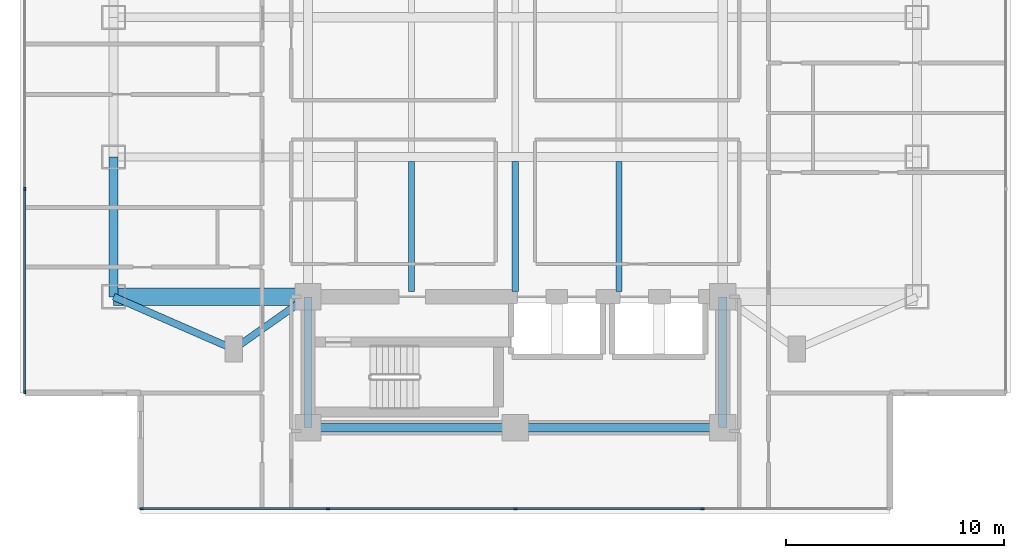
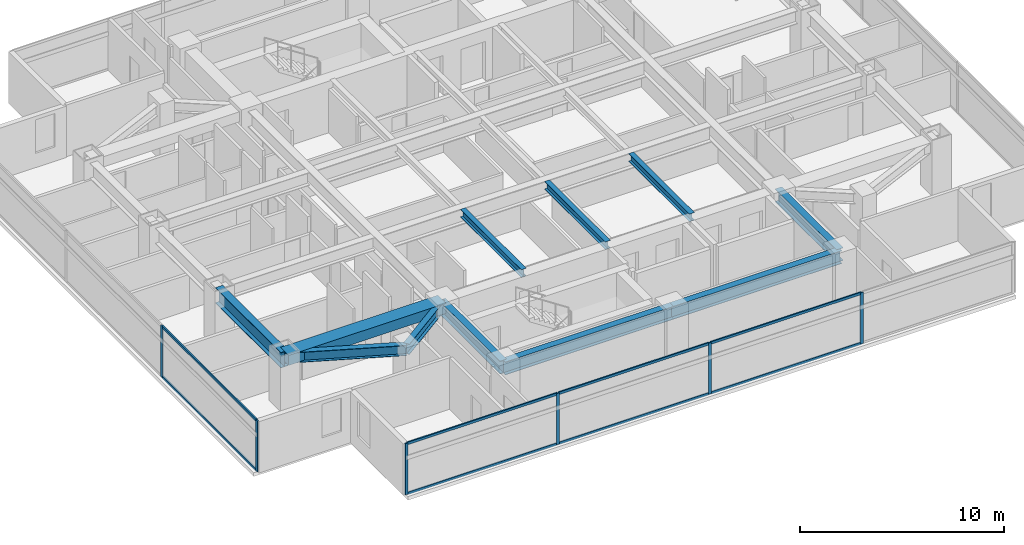
# One storey, part 2 of 26: 14 members, 11 beams, 2 elements without a shape of their own.
"""IFC4 building model written with IfcOpenShell, lengths in metres."""

from ifc_helpers import new_model, si_unit, direction, frame, origin, origin_2d, place, context, subcontext, project, spatial, rectangle, i_section, extrude, material, material_profile, profile_set, type_object, element, aggregate, save


model = new_model("IFC4")

# Units and contexts
model_context = context("Model", 3, precision=1e-05, world=origin(), true_north=direction((0.0, 1.0)))
body_context = subcontext(model_context, "Body", "Model", "MODEL_VIEW")
ifc_project = project(units=[si_unit("LENGTHUNIT", "METRE"), si_unit("AREAUNIT", "SQUARE_METRE"), si_unit("VOLUMEUNIT", "CUBIC_METRE"), si_unit("PLANEANGLEUNIT", "RADIAN"), si_unit("MASSUNIT", "GRAM", prefix="KILO")], contexts=[model_context])

# Site, building, storey
site_placement = place(None, origin())
site = spatial("IfcSite", under=ifc_project, at=site_placement, CompositionType="ELEMENT")
building_placement = place(site_placement, origin())
building = spatial("IfcBuilding", under=site, at=building_placement, Name="Mirazonda Arch Towers", CompositionType="ELEMENT")
storey_placement = place(building_placement, frame((0.0, 0.0, 114.800048828125)))
storey = spatial("IfcBuildingStorey", under=building, at=storey_placement, Name="L32", CompositionType="ELEMENT", Elevation=114.800048828125)

# Beams
ifc_material_1 = material(Name="Steel ASTM A992 Grade 50", Category="steel")
ifc_material_profile_1 = material_profile(ifc_material_1, i_section(OverallWidth=0.41796875, OverallDepth=0.927001953125, WebThickness=0.019287109375, FlangeThickness=0.031982421875, at=origin_2d()), Name="W36X231")
ifc_profile_set_1 = profile_set([ifc_material_profile_1], Name="Steel ASTM A992 Grade 50")
beam_type_1 = type_object("IfcBeamType", Name="BM-EXT-W36X231", PredefinedType="USERDEFINED", material=ifc_profile_set_1)
beam_1_placement = place(storey_placement, frame((2.10009765625, 18.39990234375, 2.616455078125), z_axis=(0.0, 1.0, 0.0), x_axis=(-1.0, 0.0, 0.0)))
element("IfcBeam", 1, at=beam_1_placement, inside=storey, type_object=beam_type_1, Name="L32 Floor Beam BM-T1-L32-NS-W-18", ObjectType="GIRDER", PredefinedType="USERDEFINED", context=body_context, shape_type="SweptSolid", body=[
    extrude(i_section(OverallWidth=0.41796875, OverallDepth=0.927001953125, WebThickness=0.019287109375, FlangeThickness=0.031982421875, at=origin_2d()), origin(), (0.0, 0.0, 1.0), 6.400146484375),
])
ifc_material_profile_2 = material_profile(ifc_material_1, i_section(OverallWidth=0.280029296875, OverallDepth=0.462890625, WebThickness=0.0107421875, FlangeThickness=0.017333984375, at=origin_2d()), Name="W18X76")
ifc_profile_set_2 = profile_set([ifc_material_profile_2], Name="Steel ASTM A992 Grade 50")
beam_type_2 = type_object("IfcBeamType", Name="BM-INT-W18X76", PredefinedType="JOIST", material=ifc_profile_set_2)
for number, where, z_axis, x_axis, name in (
    (2, (15.75, 18.639892578125, 2.848388671875), (0.0, 1.0, 0.0), (-1.0, 0.0, 0.0), "L32 Floor Beam BM-T1-L32-J-157-18"),
    (3, (20.5, 18.639892578125, 2.848388671875), (0.0, 1.0, 0.0), (-1.0, 0.0, 0.0), "L32 Floor Beam BM-T1-L32-J-205-18"),
    (4, (25.25, 18.639892578125, 2.848388671875), (0.0, 1.0, 0.0), (-1.0, 0.0, 0.0), "L32 Floor Beam BM-T1-L32-J-252-18"),
):
    element("IfcBeam", number, at=place(storey_placement, frame(where, z_axis=z_axis, x_axis=x_axis)), inside=storey, type_object=beam_type_2, Name=name, PredefinedType="JOIST", context=body_context, shape_type="SweptSolid", body=[
        extrude(i_section(OverallWidth=0.280029296875, OverallDepth=0.462890625, WebThickness=0.0107421875, FlangeThickness=0.017333984375, at=origin_2d()), origin(), (0.0, 0.0, 1.0), 5.95263671875),
    ])
ifc_material_profile_3 = material_profile(ifc_material_1, i_section(OverallWidth=0.324951171875, OverallDepth=0.615966796875, WebThickness=0.013916015625, FlangeThickness=0.021484375, at=origin_2d()), Name="W24X117")
ifc_profile_set_3 = profile_set([ifc_material_profile_3], Name="Steel ASTM A992 Grade 50")
beam_type_3 = type_object("IfcBeamType", Name="BM-INT-W24X117", PredefinedType="BEAM", material=ifc_profile_set_3)
beam_2_placement = place(storey_placement, frame((7.60009765625, 16.0, 2.77197265625), z_axis=(0.816971114901, 0.576678591087, 0.0), x_axis=(-0.576678591087, 0.816971114901, 0.0)))
element("IfcBeam", 5, at=beam_2_placement, inside=storey, type_object=beam_type_3, Name="L32 Floor Beam BM-T1-L32-PL-SW1", PredefinedType="BEAM", context=body_context, shape_type="SweptSolid", body=[
    extrude(i_section(OverallWidth=0.324951171875, OverallDepth=0.615966796875, WebThickness=0.013916015625, FlangeThickness=0.021484375, at=origin_2d()), origin(), (0.0, 0.0, 1.0), 4.16162109375),
])
beam_3_placement = place(storey_placement, frame((7.60009765625, 16.0, 2.77197265625), z_axis=(-0.916545343703, 0.399930785183, 0.0), x_axis=(-0.399930785183, -0.916545343703, 0.0)))
element("IfcBeam", 6, at=beam_3_placement, inside=storey, type_object=beam_type_3, Name="L32 Floor Beam BM-T1-L32-PL-SW2", PredefinedType="BEAM", context=body_context, shape_type="SweptSolid", body=[
    extrude(i_section(OverallWidth=0.324951171875, OverallDepth=0.615966796875, WebThickness=0.013916015625, FlangeThickness=0.021484375, at=origin_2d()), origin(), (0.0, 0.0, 1.0), 6.000732421875),
])
ifc_material_profile_4 = material_profile(ifc_material_1, i_section(OverallWidth=0.381103515625, OverallDepth=0.77294921875, WebThickness=0.0166015625, FlangeThickness=0.027099609375, at=origin_2d()), Name="W30X173")
ifc_profile_set_4 = profile_set([ifc_material_profile_4], Name="Steel ASTM A992 Grade 50")
beam_type_4 = type_object("IfcBeamType", Name="BM-INT-W30X173", PredefinedType="USERDEFINED", material=ifc_profile_set_4)
for number, where, z_axis, x_axis, name in (
    (7, (11.0, 12.39990234375, 2.693359375), (1.0, 0.0, 0.0), (0.0, 1.0, 0.0), "L32 Floor Beam BM-T1-L32-CS1"),
    (8, (20.5, 12.39990234375, 2.693359375), (1.0, 0.0, 0.0), (0.0, 1.0, 0.0), "L32 Floor Beam BM-T1-L32-CS2"),
):
    element("IfcBeam", number, at=place(storey_placement, frame(where, z_axis=z_axis, x_axis=x_axis)), inside=storey, type_object=beam_type_4, Name=name, ObjectType="GIRDER", PredefinedType="USERDEFINED", context=body_context, shape_type="SweptSolid", body=[
        extrude(i_section(OverallWidth=0.381103515625, OverallDepth=0.77294921875, WebThickness=0.0166015625, FlangeThickness=0.027099609375, at=origin_2d()), origin(), (0.0, 0.0, 1.0), 9.5),
    ])
for number, where, z_axis, x_axis, name in (
    (9, (11.0, 12.39990234375, 2.693359375), (0.0, 1.0, 0.0), (-1.0, 0.0, 0.0), "L32 Floor Beam BM-T1-L32-CSW"),
    (10, (30.0, 12.39990234375, 2.693359375), (0.0, 1.0, 0.0), (-1.0, 0.0, 0.0), "L32 Floor Beam BM-T1-L32-CSE"),
):
    element("IfcBeam", number, at=place(storey_placement, frame(where, z_axis=z_axis, x_axis=x_axis)), inside=storey, type_object=beam_type_4, Name=name, ObjectType="GIRDER", PredefinedType="USERDEFINED", context=body_context, shape_type="SweptSolid", body=[
        extrude(i_section(OverallWidth=0.381103515625, OverallDepth=0.77294921875, WebThickness=0.0166015625, FlangeThickness=0.027099609375, at=origin_2d()), origin(), (0.0, 0.0, 1.0), 6.0),
    ])
ifc_material_2 = material(Name="Concrete C60/75", Category="concrete")
ifc_material_profile_5 = material_profile(ifc_material_2, rectangle(XDim=0.800048828125, YDim=0.60009765625, at=origin_2d()), Name="RCCB800x600")
ifc_profile_set_5 = profile_set([ifc_material_profile_5], Name="Concrete C60/75")
beam_type_5 = type_object("IfcBeamType", Name="CB-INT-RCCB800x600", PredefinedType="SPANDREL", material=ifc_profile_set_5)
beam_4_placement = place(storey_placement, frame((2.10009765625, 18.39990234375, 2.780029296875), z_axis=(1.0, 0.0, 0.0), x_axis=(0.0, 1.0, 0.0)))
element("IfcBeam", 11, at=beam_4_placement, inside=storey, type_object=beam_type_5, Name="L32 Floor Beam CBC-T1-L32-SW", PredefinedType="SPANDREL", context=body_context, shape_type="SweptSolid", body=[
    extrude(rectangle(XDim=0.800048828125, YDim=0.60009765625, at=origin_2d()), origin(), (0.0, 0.0, 1.0), 8.89990234375),
])

# Curtain wall, members
ifc_material_3 = material(Name="Anodised Aluminium and Low-E Glass", Category="aluminium")
curtain_wall_type = type_object("IfcCurtainWallType", Name="CW-HTL-UNIT", PredefinedType="NOTDEFINED", material=ifc_material_3)
curtain_wall_1_placement = place(storey_placement, origin())
curtain_wall_1 = element("IfcCurtainWall", 12, at=curtain_wall_1_placement, inside=storey, type_object=curtain_wall_type, Name="L32 T1 S Facade CW-L32-T1-S", PredefinedType="NOTDEFINED")
ifc_material_4 = material(Name="Anodised Aluminium Alloy", Category="aluminium")
ifc_material_profile_6 = material_profile(ifc_material_4, rectangle(XDim=0.074951171875, YDim=0.1650390625, at=origin_2d()), Name="ALU-MULL-75x165")
ifc_profile_set_6 = profile_set([ifc_material_profile_6], Name="Anodised Aluminium Alloy")
member_type_1 = type_object("IfcMemberType", Name="MULL-CW-HTL-UNIT", PredefinedType="MULLION", material=ifc_profile_set_6)
member_1_placement = place(storey_placement, frame((29.08251953125, 8.68603515625, 0.0), z_axis=(0.0, 0.0, 1.0), x_axis=(0.0, -1.0, 0.0)))
member_1 = element("IfcMember", 13, at=member_1_placement, type_object=member_type_1, Name="CW-112 mullion 2", PredefinedType="MULLION", context=body_context, shape_type="SweptSolid", body=[
    extrude(rectangle(XDim=0.074951171875, YDim=0.1650390625, at=origin_2d()), origin(), (0.0, 0.0, 1.0), 3.06005859375),
])
member_2_placement = place(storey_placement, frame((20.5, 8.68603515625, 0.0), z_axis=(0.0, 0.0, 1.0), x_axis=(0.0, -1.0, 0.0)))
member_2 = element("IfcMember", 14, at=member_2_placement, type_object=member_type_1, Name="CW-112 mullion 3", PredefinedType="MULLION", context=body_context, shape_type="SweptSolid", body=[
    extrude(rectangle(XDim=0.074951171875, YDim=0.1650390625, at=origin_2d()), origin(), (0.0, 0.0, 1.0), 3.06005859375),
])
member_3_placement = place(storey_placement, frame((11.91748046875, 8.68603515625, 0.0), z_axis=(0.0, 0.0, 1.0), x_axis=(0.0, -1.0, 0.0)))
member_3 = element("IfcMember", 15, at=member_3_placement, type_object=member_type_1, Name="CW-112 mullion 4", PredefinedType="MULLION", context=body_context, shape_type="SweptSolid", body=[
    extrude(rectangle(XDim=0.074951171875, YDim=0.1650390625, at=origin_2d()), origin(), (0.0, 0.0, 1.0), 3.06005859375),
])
member_4_placement = place(storey_placement, frame((3.37255859375, 8.68603515625, 0.0), z_axis=(0.0, 0.0, 1.0), x_axis=(0.0, -1.0, 0.0)))
member_4 = element("IfcMember", 16, at=member_4_placement, type_object=member_type_1, Name="CW-112 mullion 5", PredefinedType="MULLION", context=body_context, shape_type="SweptSolid", body=[
    extrude(rectangle(XDim=0.074951171875, YDim=0.1650390625, at=origin_2d()), origin(), (0.0, 0.0, 1.0), 3.06005859375),
])

curtain_wall_2_placement = place(storey_placement, origin())
curtain_wall_2 = element("IfcCurtainWall", 17, at=curtain_wall_2_placement, inside=storey, type_object=curtain_wall_type, Name="L32 T1 W Facade CW-L32-T1-W", PredefinedType="NOTDEFINED")
member_5_placement = place(storey_placement, frame((-1.969970703125, 23.330322265625, 0.0), z_axis=(0.0, 0.0, 1.0), x_axis=(1.0, 0.0, 0.0)))
member_5 = element("IfcMember", 18, at=member_5_placement, type_object=member_type_1, Name="CW-112 mullion 3", PredefinedType="MULLION", context=body_context, shape_type="SweptSolid", body=[
    extrude(rectangle(XDim=0.074951171875, YDim=0.1650390625, at=origin_2d()), origin(), (0.0, 0.0, 1.0), 3.06005859375),
])
member_6_placement = place(storey_placement, frame((-1.969970703125, 14.028564453125, 0.0), z_axis=(0.0, 0.0, 1.0), x_axis=(1.0, 0.0, 0.0)))
member_6 = element("IfcMember", 19, at=member_6_placement, type_object=member_type_1, Name="CW-112 mullion 4", PredefinedType="MULLION", context=body_context, shape_type="SweptSolid", body=[
    extrude(rectangle(XDim=0.074951171875, YDim=0.1650390625, at=origin_2d()), origin(), (0.0, 0.0, 1.0), 3.06005859375),
])

# Member
ifc_material_profile_7 = material_profile(ifc_material_4, rectangle(XDim=0.074951171875, YDim=0.14501953125, at=origin_2d()), Name="ALU-TRAN-75x145")
ifc_profile_set_7 = profile_set([ifc_material_profile_7], Name="Anodised Aluminium Alloy")
member_type_2 = type_object("IfcMemberType", Name="TRAN-CW-HTL-UNIT", PredefinedType="USERDEFINED", material=ifc_profile_set_7)
member_7_placement = place(storey_placement, frame((29.044921875, 8.68603515625, 0.037353515625), z_axis=(-1.0, 0.0, 0.0), x_axis=(0.0, -1.0, 0.0)))
member_7 = element("IfcMember", 20, at=member_7_placement, type_object=member_type_2, Name="CW-112 transom 2.1", ObjectType="TRANSOM", PredefinedType="USERDEFINED", context=body_context, shape_type="SweptSolid", body=[
    extrude(rectangle(XDim=0.074951171875, YDim=0.14501953125, at=origin_2d()), origin(), (0.0, 0.0, 1.0), 8.50732421875),
])

member_8_placement = place(storey_placement, frame((29.044921875, 8.68603515625, 3.0224609375), z_axis=(-1.0, 0.0, 0.0), x_axis=(0.0, -1.0, 0.0)))
member_8 = element("IfcMember", 21, at=member_8_placement, type_object=member_type_2, Name="CW-112 transom 2.2", ObjectType="TRANSOM", PredefinedType="USERDEFINED", context=body_context, shape_type="SweptSolid", body=[
    extrude(rectangle(XDim=0.074951171875, YDim=0.14501953125, at=origin_2d()), origin(), (0.0, 0.0, 1.0), 8.50732421875),
])

member_9_placement = place(storey_placement, frame((20.46240234375, 8.68603515625, 0.037353515625), z_axis=(-1.0, 0.0, 0.0), x_axis=(0.0, -1.0, 0.0)))
member_9 = element("IfcMember", 22, at=member_9_placement, type_object=member_type_2, Name="CW-112 transom 3.1", ObjectType="TRANSOM", PredefinedType="USERDEFINED", context=body_context, shape_type="SweptSolid", body=[
    extrude(rectangle(XDim=0.074951171875, YDim=0.14501953125, at=origin_2d()), origin(), (0.0, 0.0, 1.0), 8.50732421875),
])

member_10_placement = place(storey_placement, frame((20.46240234375, 8.68603515625, 3.0224609375), z_axis=(-1.0, 0.0, 0.0), x_axis=(0.0, -1.0, 0.0)))
member_10 = element("IfcMember", 23, at=member_10_placement, type_object=member_type_2, Name="CW-112 transom 3.2", ObjectType="TRANSOM", PredefinedType="USERDEFINED", context=body_context, shape_type="SweptSolid", body=[
    extrude(rectangle(XDim=0.074951171875, YDim=0.14501953125, at=origin_2d()), origin(), (0.0, 0.0, 1.0), 8.50732421875),
])

member_11_placement = place(storey_placement, frame((11.8798828125, 8.68603515625, 0.037353515625), z_axis=(-1.0, 0.0, 0.0), x_axis=(0.0, -1.0, 0.0)))
member_11 = element("IfcMember", 24, at=member_11_placement, type_object=member_type_2, Name="CW-112 transom 4.1", ObjectType="TRANSOM", PredefinedType="USERDEFINED", context=body_context, shape_type="SweptSolid", body=[
    extrude(rectangle(XDim=0.074951171875, YDim=0.14501953125, at=origin_2d()), origin(), (0.0, 0.0, 1.0), 8.469970703125),
])

member_12_placement = place(storey_placement, frame((11.8798828125, 8.68603515625, 3.0224609375), z_axis=(-1.0, 0.0, 0.0), x_axis=(0.0, -1.0, 0.0)))
member_12 = element("IfcMember", 25, at=member_12_placement, type_object=member_type_2, Name="CW-112 transom 4.2", ObjectType="TRANSOM", PredefinedType="USERDEFINED", context=body_context, shape_type="SweptSolid", body=[
    extrude(rectangle(XDim=0.074951171875, YDim=0.14501953125, at=origin_2d()), origin(), (0.0, 0.0, 1.0), 8.469970703125),
])

aggregate(curtain_wall_1, [member_1, member_2, member_3, member_4, member_7, member_8, member_9, member_10, member_11, member_12])

member_13_placement = place(storey_placement, frame((-1.969970703125, 23.292724609375, 0.037353515625), z_axis=(0.0, -1.0, 0.0), x_axis=(1.0, 0.0, 0.0)))
member_13 = element("IfcMember", 26, at=member_13_placement, type_object=member_type_2, Name="CW-112 transom 3.1", ObjectType="TRANSOM", PredefinedType="USERDEFINED", context=body_context, shape_type="SweptSolid", body=[
    extrude(rectangle(XDim=0.074951171875, YDim=0.14501953125, at=origin_2d()), origin(), (0.0, 0.0, 1.0), 9.226806640625),
])

member_14_placement = place(storey_placement, frame((-1.969970703125, 23.292724609375, 3.0224609375), z_axis=(0.0, -1.0, 0.0), x_axis=(1.0, 0.0, 0.0)))
member_14 = element("IfcMember", 27, at=member_14_placement, type_object=member_type_2, Name="CW-112 transom 3.2", ObjectType="TRANSOM", PredefinedType="USERDEFINED", context=body_context, shape_type="SweptSolid", body=[
    extrude(rectangle(XDim=0.074951171875, YDim=0.14501953125, at=origin_2d()), origin(), (0.0, 0.0, 1.0), 9.226806640625),
])

aggregate(curtain_wall_2, [member_5, member_6, member_13, member_14])

save(model, "model.ifc")
